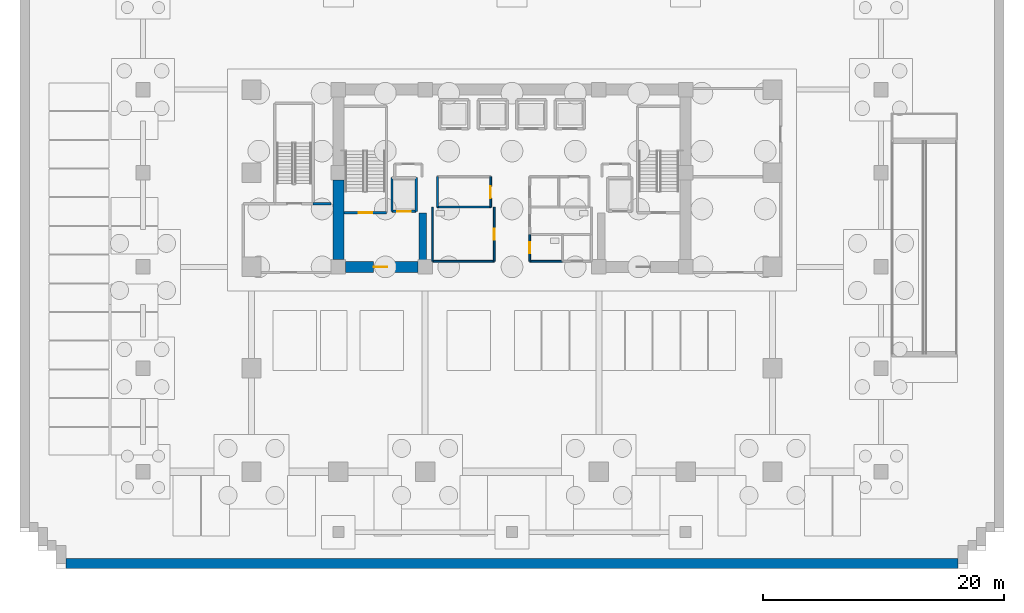
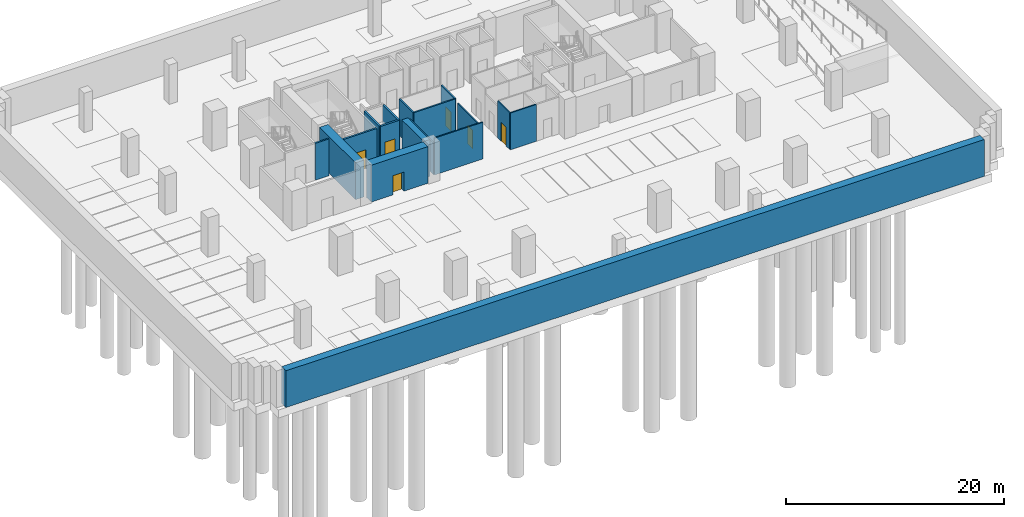
# One storey, part 3 of 13: 17 walls, 6 doors, 6 openings.
"""IFC4 building model written with IfcOpenShell, lengths in metres."""

from ifc_helpers import new_model, si_unit, direction, frame, frame_2d, origin, place, context, subcontext, project, spatial, rectangle, extrude, source, transform, mapped, material, layer, layer_set, type_object, element, fill, save


model = new_model("IFC4")

# Units and contexts
model_context = context("Model", 3, precision=1e-05, world=origin(), true_north=direction((0.0, 1.0)))
body_context = subcontext(model_context, "Body", "Model", "MODEL_VIEW")
ifc_project = project(units=[si_unit("LENGTHUNIT", "METRE"), si_unit("AREAUNIT", "SQUARE_METRE"), si_unit("VOLUMEUNIT", "CUBIC_METRE"), si_unit("PLANEANGLEUNIT", "RADIAN"), si_unit("MASSUNIT", "GRAM", prefix="KILO")], contexts=[model_context])

# Site, building, storey
site_placement = place(None, origin())
site = spatial("IfcSite", under=ifc_project, at=site_placement, CompositionType="ELEMENT")
building_placement = place(site_placement, origin())
building = spatial("IfcBuilding", under=site, at=building_placement, Name="Zarnakvel Exchange Tower", CompositionType="ELEMENT")
storey_placement = place(building_placement, frame((0.0, 0.0, -13.199951171875)))
storey = spatial("IfcBuildingStorey", under=building, at=storey_placement, Name="B03", CompositionType="ELEMENT", Elevation=-13.199951171875)

# Wall
ifc_material_1 = material(Name="Concrete C80/95", Category="concrete")
ifc_layer_1 = layer(ifc_material_1, 0.89990234375)
ifc_layer_set_1 = layer_set([ifc_layer_1], Name="Concrete C80/95")
wall_type_1 = type_object("IfcWallType", Name="CW-C1", PredefinedType="SHEAR", material=ifc_layer_set_1)
wall_1_placement = place(storey_placement, frame((-14.39990234375, -0.60009765625, 0.0), z_axis=(0.0, 0.0, 1.0), x_axis=(0.0, 1.0, 0.0)))
element("IfcWall", 1, at=wall_1_placement, inside=storey, type_object=wall_type_1, Name="B03 Rear Core Shear Wall W1 (CW-C1)", PredefinedType="SHEAR", context=body_context, shape_type="SweptSolid", body=[
    extrude(rectangle(XDim=6.60009765625, YDim=0.89990234375, at=frame_2d((3.300048828125, 0.0))), origin(), (0.0, 0.0, 1.0), 4.119873046875),
])

# Wall, opening, door
wall_2_placement = place(storey_placement, frame((-7.800048828125, -1.199951171875, 0.0), z_axis=(0.0, 0.0, 1.0), x_axis=(-1.0, 0.0, 0.0)))
wall_2 = element("IfcWall", 2, at=wall_2_placement, inside=storey, type_object=wall_type_1, Name="B03 Rear Core Shear Wall SW (CW-C1)", PredefinedType="SHEAR", context=body_context, shape_type="SweptSolid", body=[
    extrude(rectangle(XDim=6.0, YDim=0.89990234375, at=frame_2d((3.0, 0.0))), origin(), (0.0, 0.0, 1.0), 4.119873046875),
])
opening_1_placement = place(wall_2_placement, frame((2.52490234375, 0.0, 0.0)))
opening_1 = element("IfcOpeningElement", 3, at=opening_1_placement, cuts=wall_2, Name="Opening D-B03-03", PredefinedType="OPENING", context=body_context, shape_type="SweptSolid", body=[
    extrude(rectangle(XDim=1.14990234375, YDim=2.14990234375, at=frame_2d((0.574951171875, 1.074951171875))), frame((0.0, 0.4599609375, 0.0), z_axis=(0.0, -1.0, 0.0), x_axis=(1.0, 0.0, 0.0)), (0.0, 0.0, 1.0), 0.919921875),
])
ifc_material_2 = material(Name="Painted Galvanised Steel S355", Category="steel")
door_type_1 = type_object("IfcDoorType", Name="DT-04", OperationType="NOTDEFINED", PredefinedType="DOOR", material=ifc_material_2)
shared_shape_1 = source(origin(), body_context, "Body", "SweptSolid", [
    extrude(rectangle(XDim=1.14990234375, YDim=2.14990234375, at=frame_2d((0.574951171875, 1.074951171875))), frame((0.0, 0.02490234375, 0.0), z_axis=(0.0, -1.0, 0.0), x_axis=(1.0, 0.0, 0.0)), (0.0, 0.0, 1.0), 0.050048828125),
])
door_1_placement = place(opening_1_placement, origin())
door_1 = element("IfcDoor", 4, at=door_1_placement, inside=storey, type_object=door_type_1, Name="B03 Firefighting Lobby West Door D-B03-03", OperationType="SINGLE_SWING_RIGHT", OverallHeight=2.14990234375, OverallWidth=1.14990234375, PredefinedType="DOOR", context=body_context, shape_type="MappedRepresentation", body=[
    mapped(shared_shape_1, transform((0.0, 0.0, 0.0), x_axis=(1.0, 0.0, 0.0), y_axis=(0.0, 1.0, 0.0), z_axis=(0.0, 0.0, 1.0), scale=1.0)),
])
fill(opening_1, door_1)

# Walls
ifc_layer_2 = layer(ifc_material_1, 0.64990234375)
ifc_layer_set_2 = layer_set([ifc_layer_2], Name="Concrete C80/95")
wall_type_2 = type_object("IfcWallType", Name="CW-C2", PredefinedType="SHEAR", material=ifc_layer_set_2)
wall_3_placement = place(storey_placement, frame((-7.39990234375, -0.75, 0.0), z_axis=(0.0, 0.0, 1.0), x_axis=(0.0, 1.0, 0.0)))
element("IfcWall", 5, at=wall_3_placement, inside=storey, type_object=wall_type_2, Name="B03 Rear Core Shear Wall IW (CW-C2)", PredefinedType="SHEAR", context=body_context, shape_type="SweptSolid", body=[
    extrude(rectangle(XDim=4.0, YDim=0.64990234375, at=frame_2d((2.0, 0.0))), origin(), (0.0, 0.0, 1.0), 4.119873046875),
])
ifc_material_3 = material(Name="Fire-Rated Gypsum Stud Partition", Category="gypsum")
ifc_layer_3 = layer(ifc_material_3, 0.14990234375)
ifc_layer_set_3 = layer_set([ifc_layer_3], Name="Fire-Rated Gypsum Stud Partition")
wall_type_3 = type_object("IfcWallType", Name="PT-01", PredefinedType="PARTITIONING", material=ifc_layer_set_3)
wall_4_placement = place(storey_placement, frame((-1.77001953125, 3.760009765625, 0.0), z_axis=(0.0, 0.0, 1.0), x_axis=(-1.0, 0.0, 0.0)))
element("IfcWall", 6, at=wall_4_placement, inside=storey, type_object=wall_type_3, Name="B03 Partition Wall PWALL-B03-013 (PT-01)", PredefinedType="PARTITIONING", context=body_context, shape_type="SweptSolid", body=[
    extrude(rectangle(XDim=4.409912109375, YDim=0.14990234375, at=frame_2d((2.205078125, 0.0))), origin(), (0.0, 0.0, 1.0), 4.119873046875),
])
wall_5_placement = place(storey_placement, frame((-6.179931640625, 3.760009765625, 0.0), z_axis=(0.0, 0.0, 1.0), x_axis=(0.0, 1.0, 0.0)))
element("IfcWall", 7, at=wall_5_placement, inside=storey, type_object=wall_type_3, Name="B03 Partition Wall PWALL-B03-015 (PT-01)", PredefinedType="PARTITIONING", context=body_context, shape_type="SweptSolid", body=[
    extrude(rectangle(XDim=2.52001953125, YDim=0.14990234375, at=frame_2d((1.260009765625, 0.0))), origin(), (0.0, 0.0, 1.0), 4.119873046875),
])

# Wall, opening, door
wall_6_placement = place(storey_placement, frame((-1.77001953125, 6.280029296875, 0.0), z_axis=(0.0, 0.0, 1.0), x_axis=(0.0, -1.0, 0.0)))
wall_6 = element("IfcWall", 8, at=wall_6_placement, inside=storey, type_object=wall_type_3, Name="B03 Partition Wall PWALL-B03-016 (PT-01)", PredefinedType="PARTITIONING", context=body_context, shape_type="SweptSolid", body=[
    extrude(rectangle(XDim=2.52001953125, YDim=0.14990234375, at=frame_2d((1.260009765625, 0.0))), origin(), (0.0, 0.0, 1.0), 4.119873046875),
])
opening_2_placement = place(wall_6_placement, frame((0.7900390625, 0.0, 0.0)))
opening_2 = element("IfcOpeningElement", 9, at=opening_2_placement, cuts=wall_6, Name="Opening D-B03-05", PredefinedType="OPENING", context=body_context, shape_type="SweptSolid", body=[
    extrude(rectangle(XDim=0.97998046875, YDim=2.14990234375, at=frame_2d((0.489990234375, 1.074951171875))), frame((0.0, 0.0849609375, 0.0), z_axis=(0.0, -1.0, 0.0), x_axis=(1.0, 0.0, 0.0)), (0.0, 0.0, 1.0), 0.169921875),
])
ifc_material_4 = material(Name="Timber Acoustic Veneer", Category="wood")
door_type_2 = type_object("IfcDoorType", Name="DT-05", OperationType="NOTDEFINED", PredefinedType="DOOR", material=ifc_material_4)
shared_shape_2 = source(origin(), body_context, "Body", "SweptSolid", [
    extrude(rectangle(XDim=0.97998046875, YDim=2.14990234375, at=frame_2d((0.489990234375, 1.074951171875))), frame((0.0, 0.02490234375, 0.0), z_axis=(0.0, -1.0, 0.0), x_axis=(1.0, 0.0, 0.0)), (0.0, 0.0, 1.0), 0.050048828125),
])
door_2_placement = place(opening_2_placement, origin())
door_2 = element("IfcDoor", 10, at=door_2_placement, inside=storey, type_object=door_type_2, Name="B03 Regulatory Archive Office Door D-B03-05", OperationType="SINGLE_SWING_RIGHT", OverallHeight=2.14990234375, OverallWidth=0.97998046875, PredefinedType="DOOR", context=body_context, shape_type="MappedRepresentation", body=[
    mapped(shared_shape_2, transform((0.0, 0.0, 0.0), x_axis=(1.0, 0.0, 0.0), y_axis=(0.0, 1.0, 0.0), z_axis=(0.0, 0.0, 1.0), scale=1.0)),
])
fill(opening_2, door_2)

# Walls
ifc_layer_4 = layer(ifc_material_3, 0.179931640625)
ifc_layer_set_4 = layer_set([ifc_layer_4], Name="Fire-Rated Gypsum Stud Partition")
wall_type_4 = type_object("IfcWallType", Name="PT-02", PredefinedType="PARTITIONING", material=ifc_layer_set_4)
wall_7_placement = place(storey_placement, frame((-16.489990234375, 4.030029296875, 0.0), z_axis=(0.0, 0.0, 1.0), x_axis=(1.0, 0.0, 0.0)))
element("IfcWall", 11, at=wall_7_placement, inside=storey, type_object=wall_type_4, Name="B03 Partition Wall PWALL-B03-041 (PT-02)", PredefinedType="PARTITIONING", context=body_context, shape_type="SweptSolid", body=[
    extrude(rectangle(XDim=1.469970703125, YDim=0.179931640625, at=frame_2d((0.73486328125, 0.0))), origin(), (0.0, 0.0, 1.0), 4.119873046875),
])
ifc_material_5 = material(Name="Moisture-Resistant Tile-Faced Partition", Category="gypsum")
ifc_layer_5 = layer(ifc_material_5, 0.135009765625)
ifc_layer_set_5 = layer_set([ifc_layer_5], Name="Moisture-Resistant Tile-Faced Partition")
wall_type_5 = type_object("IfcWallType", Name="PT-03", PredefinedType="PARTITIONING", material=ifc_layer_set_5)
wall_8_placement = place(storey_placement, frame((-1.469970703125, -0.72998046875, 0.0), z_axis=(0.0, 0.0, 1.0), x_axis=(-1.0, 0.0, 0.0)))
element("IfcWall", 12, at=wall_8_placement, inside=storey, type_object=wall_type_5, Name="B03 Partition Wall PWALL-B03-024 (PT-03)", PredefinedType="PARTITIONING", context=body_context, shape_type="SweptSolid", body=[
    extrude(rectangle(XDim=5.110107421875, YDim=0.135009765625, at=frame_2d((2.55517578125, 0.0))), origin(), (0.0, 0.0, 1.0), 4.119873046875),
])
wall_9_placement = place(storey_placement, frame((-6.580078125, -0.72998046875, 0.0), z_axis=(0.0, 0.0, 1.0), x_axis=(0.0, 1.0, 0.0)))
element("IfcWall", 13, at=wall_9_placement, inside=storey, type_object=wall_type_5, Name="B03 Partition Wall PWALL-B03-025 (PT-03)", PredefinedType="PARTITIONING", context=body_context, shape_type="SweptSolid", body=[
    extrude(rectangle(XDim=4.489990234375, YDim=0.135009765625, at=frame_2d((2.2451171875, 0.0))), origin(), (0.0, 0.0, 1.0), 3.49267578125),
])

# Wall, opening, door
wall_10_placement = place(storey_placement, frame((-1.469970703125, 3.760009765625, 0.0), z_axis=(0.0, 0.0, 1.0), x_axis=(0.0, -1.0, 0.0)))
wall_10 = element("IfcWall", 14, at=wall_10_placement, inside=storey, type_object=wall_type_5, Name="B03 Partition Wall PWALL-B03-026 (PT-03)", PredefinedType="PARTITIONING", context=body_context, shape_type="SweptSolid", body=[
    extrude(rectangle(XDim=4.489990234375, YDim=0.135009765625, at=frame_2d((2.2451171875, 0.0))), origin(), (0.0, 0.0, 1.0), 3.49267578125),
])
opening_3_placement = place(wall_10_placement, frame((1.800048828125, 0.0, 0.0)))
opening_3 = element("IfcOpeningElement", 15, at=opening_3_placement, cuts=wall_10, Name="Opening D-B03-08", PredefinedType="OPENING", context=body_context, shape_type="SweptSolid", body=[
    extrude(rectangle(XDim=0.919921875, YDim=2.10009765625, at=frame_2d((0.4599609375, 1.050048828125))), frame((0.0, 0.077392578125, 0.0), z_axis=(0.0, -1.0, 0.0), x_axis=(1.0, 0.0, 0.0)), (0.0, 0.0, 1.0), 0.155029296875),
])
ifc_material_6 = material(Name="Moisture-Resistant Laminate Timber", Category="wood")
door_type_3 = type_object("IfcDoorType", Name="DT-07", OperationType="NOTDEFINED", PredefinedType="DOOR", material=ifc_material_6)
shared_shape_3 = source(origin(), body_context, "Body", "SweptSolid", [
    extrude(rectangle(XDim=0.919921875, YDim=2.10009765625, at=frame_2d((0.4599609375, 1.050048828125))), frame((0.0, 0.02490234375, 0.0), z_axis=(0.0, -1.0, 0.0), x_axis=(1.0, 0.0, 0.0)), (0.0, 0.0, 1.0), 0.050048828125),
])
door_3_placement = place(opening_3_placement, origin())
door_3 = element("IfcDoor", 16, at=door_3_placement, inside=storey, type_object=door_type_3, Name="B03 Male Toilet Door D-B03-08", OperationType="SINGLE_SWING_LEFT", OverallHeight=2.10009765625, OverallWidth=0.919921875, PredefinedType="DOOR", context=body_context, shape_type="MappedRepresentation", body=[
    mapped(shared_shape_3, transform((0.0, 0.0, 0.0), x_axis=(1.0, 0.0, 0.0), y_axis=(0.0, 1.0, 0.0), z_axis=(0.0, 0.0, 1.0), scale=1.0)),
])
fill(opening_3, door_3)

# Wall
wall_11_placement = place(storey_placement, frame((4.179931640625, -0.72998046875, 0.0), z_axis=(0.0, 0.0, 1.0), x_axis=(-1.0, 0.0, 0.0)))
element("IfcWall", 17, at=wall_11_placement, inside=storey, type_object=wall_type_5, Name="B03 Partition Wall PWALL-B03-030 (PT-03)", PredefinedType="PARTITIONING", context=body_context, shape_type="SweptSolid", body=[
    extrude(rectangle(XDim=2.7099609375, YDim=0.135009765625, at=frame_2d((1.35498046875, 0.0))), origin(), (0.0, 0.0, 1.0), 4.119873046875),
])

# Wall, opening, door
wall_12_placement = place(storey_placement, frame((1.469970703125, -0.72998046875, 0.0), z_axis=(0.0, 0.0, 1.0), x_axis=(0.0, 1.0, 0.0)))
wall_12 = element("IfcWall", 18, at=wall_12_placement, inside=storey, type_object=wall_type_5, Name="B03 Partition Wall PWALL-B03-031 (PT-03)", PredefinedType="PARTITIONING", context=body_context, shape_type="SweptSolid", body=[
    extrude(rectangle(XDim=2.2099609375, YDim=0.135009765625, at=frame_2d((1.10498046875, 0.0))), origin(), (0.0, 0.0, 1.0), 4.119873046875),
])
opening_4_placement = place(wall_12_placement, frame((0.64990234375, 0.0, 0.0)))
opening_4 = element("IfcOpeningElement", 19, at=opening_4_placement, cuts=wall_12, Name="Opening D-B03-10", PredefinedType="OPENING", context=body_context, shape_type="SweptSolid", body=[
    extrude(rectangle(XDim=0.919921875, YDim=2.10009765625, at=frame_2d((0.4599609375, 1.050048828125))), frame((0.0, 0.077392578125, 0.0), z_axis=(0.0, -1.0, 0.0), x_axis=(1.0, 0.0, 0.0)), (0.0, 0.0, 1.0), 0.155029296875),
])
door_4_placement = place(opening_4_placement, origin())
door_4 = element("IfcDoor", 20, at=door_4_placement, inside=storey, type_object=door_type_3, Name="B03 Accessible Toilet Door D-B03-10", OperationType="SINGLE_SWING_LEFT", OverallHeight=2.10009765625, OverallWidth=0.919921875, PredefinedType="DOOR", context=body_context, shape_type="MappedRepresentation", body=[
    mapped(shared_shape_3, transform((0.0, 0.0, 0.0), x_axis=(1.0, 0.0, 0.0), y_axis=(0.0, 1.0, 0.0), z_axis=(0.0, 0.0, 1.0), scale=1.0)),
])
fill(opening_4, door_4)

# Wall
ifc_material_7 = material(Name="Concrete C50/60", Category="concrete")
ifc_layer_6 = layer(ifc_material_7, 0.800048828125)
ifc_layer_set_6 = layer_set([ifc_layer_6], Name="Concrete C50/60")
wall_type_6 = type_object("IfcWallType", Name="RW-01", PredefinedType="USERDEFINED", material=ifc_layer_set_6)
wall_13_placement = place(storey_placement, frame((37.0, -25.800048828125, 0.0), z_axis=(0.0, 0.0, 1.0), x_axis=(-1.0, 0.0, 0.0)))
element("IfcWall", 21, at=wall_13_placement, inside=storey, type_object=wall_type_6, Name="B03 Perimeter Retaining Wall RW-01 #16", ObjectType="RETAININGWALL", PredefinedType="USERDEFINED", context=body_context, shape_type="SweptSolid", body=[
    extrude(rectangle(XDim=74.0, YDim=0.800048828125, at=frame_2d((37.0, 0.0))), origin(), (0.0, 0.0, 1.0), 4.119873046875),
])

# Wall, opening, door
ifc_material_8 = material(Name="Concrete C40/50", Category="concrete")
ifc_layer_7 = layer(ifc_material_8, 0.199951171875)
ifc_layer_set_7 = layer_set([ifc_layer_7], Name="Concrete C40/50")
wall_type_7 = type_object("IfcWallType", Name="SW-01", PredefinedType="SOLIDWALL", material=ifc_layer_set_7)
wall_14_placement = place(storey_placement, frame((-7.949951171875, 3.39990234375, 0.0), z_axis=(0.0, 0.0, 1.0), x_axis=(-1.0, 0.0, 0.0)))
wall_14 = element("IfcWall", 22, at=wall_14_placement, inside=storey, type_object=wall_type_7, Name="B03 FL-01 Hoistway Wall South", PredefinedType="SOLIDWALL", context=body_context, shape_type="SweptSolid", body=[
    extrude(rectangle(XDim=2.0, YDim=0.199951171875, at=frame_2d((1.0, 0.0))), origin(), (0.0, 0.0, 1.0), 4.119873046875),
])
opening_5_placement = place(wall_14_placement, frame((0.449951171875, 0.0, 0.0)))
opening_5 = element("IfcOpeningElement", 23, at=opening_5_placement, cuts=wall_14, Name="Opening LD-FL-01-B03", PredefinedType="OPENING", context=body_context, shape_type="SweptSolid", body=[
    extrude(rectangle(XDim=1.10009765625, YDim=2.199951171875, at=frame_2d((0.550048828125, 1.10009765625))), frame((0.0, 0.10986328125, 0.0), z_axis=(0.0, -1.0, 0.0), x_axis=(1.0, 0.0, 0.0)), (0.0, 0.0, 1.0), 0.219970703125),
])
ifc_material_9 = material(Name="Brushed Stainless Steel", Category="steel")
door_type_4 = type_object("IfcDoorType", Name="LDT-01", OperationType="NOTDEFINED", PredefinedType="DOOR", material=ifc_material_9)
shared_shape_4 = source(origin(), body_context, "Body", "SweptSolid", [
    extrude(rectangle(XDim=1.10009765625, YDim=2.199951171875, at=frame_2d((0.550048828125, 1.10009765625))), frame((0.0, 0.02490234375, 0.0), z_axis=(0.0, -1.0, 0.0), x_axis=(1.0, 0.0, 0.0)), (0.0, 0.0, 1.0), 0.050048828125),
])
door_5_placement = place(opening_5_placement, origin())
door_5 = element("IfcDoor", 24, at=door_5_placement, inside=storey, type_object=door_type_4, Name="B03 FL-01 Lift Landing Door LD-FL-01-B03", OperationType="DOUBLE_DOOR_SLIDING", OverallHeight=2.199951171875, OverallWidth=1.10009765625, PredefinedType="DOOR", context=body_context, shape_type="MappedRepresentation", body=[
    mapped(shared_shape_4, transform((0.0, 0.0, 0.0), x_axis=(1.0, 0.0, 0.0), y_axis=(0.0, 1.0, 0.0), z_axis=(0.0, 0.0, 1.0), scale=1.0)),
])
fill(opening_5, door_5)

# Walls
for number, where, z_axis, x_axis, name in (
    (25, (-9.949951171875, 3.39990234375, 0.0), (0.0, 0.0, 1.0), (0.0, 1.0, 0.0), "B03 FL-01 Hoistway Wall West"),
    (26, (-7.949951171875, 6.199951171875, 0.0), (0.0, 0.0, 1.0), (0.0, -1.0, 0.0), "B03 FL-01 Hoistway Wall East"),
):
    element("IfcWall", number, at=place(storey_placement, frame(where, z_axis=z_axis, x_axis=x_axis)), inside=storey, type_object=wall_type_7, Name=name, PredefinedType="SOLIDWALL", context=body_context, shape_type="SweptSolid", body=[
        extrude(rectangle(XDim=2.800048828125, YDim=0.199951171875, at=frame_2d((1.39990234375, 0.0))), origin(), (0.0, 0.0, 1.0), 4.119873046875),
    ])

# Wall, opening, door
ifc_layer_8 = layer(ifc_material_8, 0.199951171875)
ifc_layer_set_8 = layer_set([ifc_layer_8], Name="Concrete C40/50")
wall_type_8 = type_object("IfcWallType", Name="SW-02", PredefinedType="SOLIDWALL", material=ifc_layer_set_8)
wall_15_placement = place(storey_placement, frame((-10.409912109375, 3.2900390625, 0.0), z_axis=(0.0, 0.0, 1.0), x_axis=(-1.0, 0.0, 0.0)))
wall_15 = element("IfcWall", 27, at=wall_15_placement, inside=storey, type_object=wall_type_8, Name="B03 Stairwell Core Wall PWALL-B03-001 (SW-02)", PredefinedType="SOLIDWALL", context=body_context, shape_type="SweptSolid", body=[
    extrude(rectangle(XDim=3.52001953125, YDim=0.199951171875, at=frame_2d((1.760009765625, 0.0))), origin(), (0.0, 0.0, 1.0), 4.119873046875),
])
opening_6_placement = place(wall_15_placement, frame((1.1650390625, 0.0, 0.0)))
opening_6 = element("IfcOpeningElement", 28, at=opening_6_placement, cuts=wall_15, Name="Opening D-B03-01", PredefinedType="OPENING", context=body_context, shape_type="SweptSolid", body=[
    extrude(rectangle(XDim=1.14990234375, YDim=2.14990234375, at=frame_2d((0.574951171875, 1.074951171875))), frame((0.0, 0.10986328125, 0.0), z_axis=(0.0, -1.0, 0.0), x_axis=(1.0, 0.0, 0.0)), (0.0, 0.0, 1.0), 0.219970703125),
])
door_6_placement = place(opening_6_placement, origin())
door_6 = element("IfcDoor", 29, at=door_6_placement, inside=storey, type_object=door_type_1, Name="B03 Stairwell ST-01 Door D-B03-01", OperationType="SINGLE_SWING_RIGHT", OverallHeight=2.14990234375, OverallWidth=1.14990234375, PredefinedType="DOOR", context=body_context, shape_type="MappedRepresentation", body=[
    mapped(shared_shape_1, transform((0.0, 0.0, 0.0), x_axis=(1.0, 0.0, 0.0), y_axis=(0.0, 1.0, 0.0), z_axis=(0.0, 0.0, 1.0), scale=1.0)),
])
fill(opening_6, door_6)

save(model, "model.ifc")
